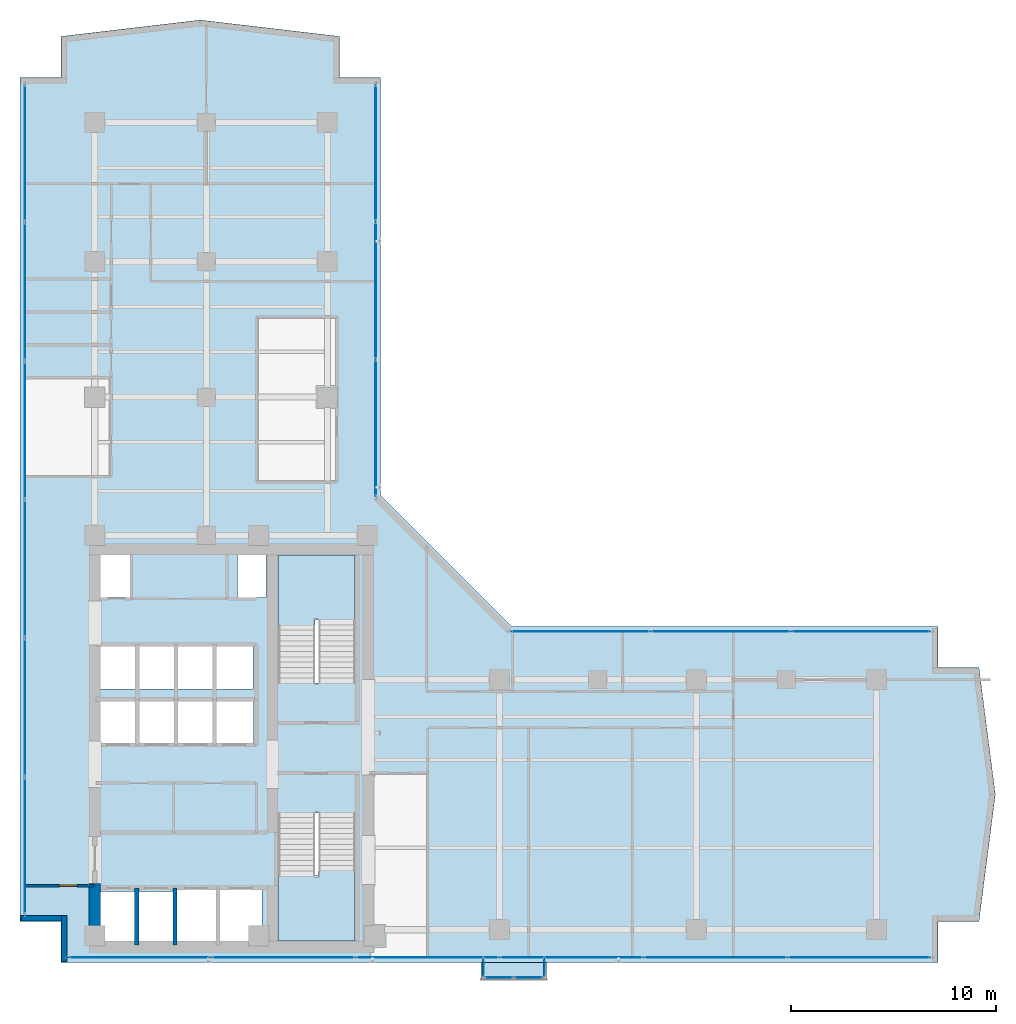
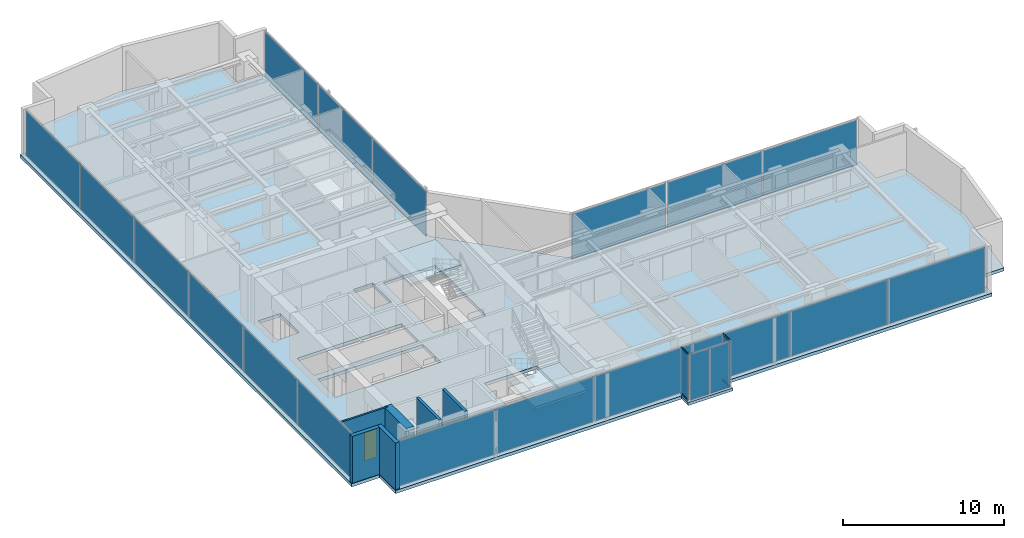
# One storey, part 16 of 23: 22 plates, 6 walls, 4 members, 4 slabs, 1 door, 1 opening, 9 elements without a shape of their own.
"""IFC4 building model written with IfcOpenShell, lengths in metres."""

from ifc_helpers import new_model, si_unit, direction, frame, frame_2d, origin, origin_with_axes, origin_2d, place, context, subcontext, project, spatial, polyline, rectangle, hollow_rectangle, outline, extrude, source, transform, mapped, material, layer, layer_set, material_profile, profile_set, type_object, element, fill, aggregate, save


model = new_model("IFC4")

# Units and contexts
model_context = context("Model", 3, precision=1e-05, world=origin(), true_north=direction((0.0, 1.0)))
body_context = subcontext(model_context, "Body", "Model", "MODEL_VIEW")
ifc_project = project(units=[si_unit("LENGTHUNIT", "METRE"), si_unit("AREAUNIT", "SQUARE_METRE"), si_unit("VOLUMEUNIT", "CUBIC_METRE"), si_unit("PLANEANGLEUNIT", "RADIAN"), si_unit("MASSUNIT", "GRAM", prefix="KILO")], contexts=[model_context])

# Site, building, storey
site_placement = place(None, origin())
site = spatial("IfcSite", under=ifc_project, at=site_placement, CompositionType="ELEMENT")
building_placement = place(site_placement, origin())
building = spatial("IfcBuilding", under=site, at=building_placement, Name="Kolvaren Waterfront Exchange", CompositionType="ELEMENT")
storey_placement = place(building_placement, frame((0.0, 0.0, 215.89990234375)))
storey = spatial("IfcBuildingStorey", under=building, at=storey_placement, Name="L55", CompositionType="ELEMENT", Elevation=215.89990234375)

# Curtain wall, members
ifc_material_1 = material(Name="Anodised bronze aluminium 6063-T6", Category="aluminium")
ifc_layer_1 = layer(ifc_material_1, 0.219970703125, Name="Anodised bronze aluminium 6063-T6")
ifc_layer_set_1 = layer_set([ifc_layer_1], Name="Anodised bronze aluminium 6063-T6")
curtain_wall_type_1 = type_object("IfcCurtainWallType", Name="ARC-CW-SYS3", PredefinedType="USERDEFINED", material=ifc_layer_set_1)
curtain_wall_1_placement = place(storey_placement, origin())
curtain_wall_1 = element("IfcCurtainWall", 1, at=curtain_wall_1_placement, inside=storey, type_object=curtain_wall_type_1, Name="L55 stick curtain wall CW3 (CW-L55-BOX-W)", ObjectType="STICK CURTAIN WALL", PredefinedType="USERDEFINED")
ifc_material_profile = material_profile(ifc_material_1, hollow_rectangle(XDim=0.06494140625, YDim=0.1298828125, WallThickness=0.00390625, at=origin_2d()), Name="ALU-TRN-130x65x4")
ifc_profile_set = profile_set([ifc_material_profile], Name="Anodised bronze aluminium 6063-T6")
member_type = type_object("IfcMemberType", Name="ARC-CWT-130", PredefinedType="USERDEFINED", material=ifc_profile_set)
shared_shape_1 = source(origin_with_axes(), body_context, "Body", "SweptSolid", [
    extrude(hollow_rectangle(XDim=0.06494140625, YDim=0.1298828125, WallThickness=0.00390625, at=origin_2d()), origin(), (0.0, 0.0, 1.0), 0.829833984375),
])
member_1_placement = place(storey_placement, frame((26.409912109375, 3.764892578125, 0.03271484375), z_axis=(0.0, -1.0, 0.0), x_axis=(1.0, 0.0, 0.0)))
member_1 = element("IfcMember", 2, at=member_1_placement, type_object=member_type, Name="CW3 transom 1.1", ObjectType="TRANSOM", PredefinedType="USERDEFINED", context=body_context, shape_type="MappedRepresentation", body=[
    mapped(shared_shape_1, transform((0.0, 0.0, 0.0), x_axis=(1.0, 0.0, 0.0), y_axis=(0.0, 1.0, 0.0), z_axis=(0.0, 0.0, 1.0), scale=1.0)),
])
member_2_placement = place(storey_placement, frame((26.409912109375, 3.764892578125, 3.527587890625), z_axis=(0.0, -1.0, 0.0), x_axis=(1.0, 0.0, 0.0)))
member_2 = element("IfcMember", 3, at=member_2_placement, type_object=member_type, Name="CW3 transom 1.2", ObjectType="TRANSOM", PredefinedType="USERDEFINED", context=body_context, shape_type="MappedRepresentation", body=[
    mapped(shared_shape_1, transform((0.0, 0.0, 0.0), x_axis=(1.0, 0.0, 0.0), y_axis=(0.0, 1.0, 0.0), z_axis=(0.0, 0.0, 1.0), scale=1.0)),
])

curtain_wall_2_placement = place(storey_placement, origin())
curtain_wall_2 = element("IfcCurtainWall", 4, at=curtain_wall_2_placement, inside=storey, type_object=curtain_wall_type_1, Name="L55 stick curtain wall CW3 (CW-L55-BOX-E)", ObjectType="STICK CURTAIN WALL", PredefinedType="USERDEFINED")
member_3_placement = place(storey_placement, frame((29.389892578125, 2.93505859375, 0.03271484375), z_axis=(0.0, 1.0, 0.0), x_axis=(-1.0, 0.0, 0.0)))
member_3 = element("IfcMember", 5, at=member_3_placement, type_object=member_type, Name="CW3 transom 1.1", ObjectType="TRANSOM", PredefinedType="USERDEFINED", context=body_context, shape_type="MappedRepresentation", body=[
    mapped(shared_shape_1, transform((0.0, 0.0, 0.0), x_axis=(1.0, 0.0, 0.0), y_axis=(0.0, 1.0, 0.0), z_axis=(0.0, 0.0, 1.0), scale=1.0)),
])
member_4_placement = place(storey_placement, frame((29.389892578125, 2.93505859375, 3.527587890625), z_axis=(0.0, 1.0, 0.0), x_axis=(-1.0, 0.0, 0.0)))
member_4 = element("IfcMember", 6, at=member_4_placement, type_object=member_type, Name="CW3 transom 1.2", ObjectType="TRANSOM", PredefinedType="USERDEFINED", context=body_context, shape_type="MappedRepresentation", body=[
    mapped(shared_shape_1, transform((0.0, 0.0, 0.0), x_axis=(1.0, 0.0, 0.0), y_axis=(0.0, 1.0, 0.0), z_axis=(0.0, 0.0, 1.0), scale=1.0)),
])

# Stair, slab
ifc_material_2 = material(Name="Concrete C40/50", Category="concrete")
stair_type = type_object("IfcStairType", Name="ARC-STAIR-3800", PredefinedType="HALF_TURN_STAIR", material=ifc_material_2)
stair_1_placement = place(storey_placement, origin())
stair_1 = element("IfcStair", 7, at=stair_1_placement, inside=storey, type_object=stair_type, Name="L55 Smoke-proof exit stair ST1", PredefinedType="HALF_TURN_STAIR")
ifc_layer_2 = layer(ifc_material_2, 0.199951171875, Name="Concrete C40/50")
ifc_layer_set_2 = layer_set([ifc_layer_2], Name="Concrete C40/50")
slab_type_1 = type_object("IfcSlabType", Name="STR-LANDING-200", PredefinedType="LANDING", material=ifc_layer_set_2)
slab_1_placement = place(storey_placement, frame((0.0, 0.0, 1.776123046875)))
slab_1 = element("IfcSlab", 8, at=slab_1_placement, type_object=slab_type_1, Name="ST1 landing 1", PredefinedType="LANDING", context=body_context, shape_type="SweptSolid", body=[
    extrude(outline(polyline([(16.39990234375, 7.840087890625), (16.39990234375, 4.64990234375), (20.159912109375, 4.64990234375), (20.159912109375, 8.10009765625), (18.360107421875, 8.10009765625), (18.360107421875, 7.840087890625), (16.39990234375, 7.840087890625)])), origin(), (0.0, 0.0, 1.0), 0.199951171875),
])
aggregate(stair_1, [slab_1])

stair_2_placement = place(storey_placement, origin())
stair_2 = element("IfcStair", 9, at=stair_2_placement, inside=storey, type_object=stair_type, Name="L55 Smoke-proof exit stair ST2", PredefinedType="HALF_TURN_STAIR")
slab_2_placement = place(storey_placement, frame((0.0, 0.0, 1.776123046875)))
slab_2 = element("IfcSlab", 10, at=slab_2_placement, type_object=slab_type_1, Name="ST2 landing 1", PredefinedType="LANDING", context=body_context, shape_type="SweptSolid", body=[
    extrude(outline(polyline([(20.159912109375, 20.31005859375), (20.159912109375, 23.5), (16.39990234375, 23.5), (16.39990234375, 20.050048828125), (18.199951171875, 20.050048828125), (18.199951171875, 20.31005859375), (20.159912109375, 20.31005859375)])), origin(), (0.0, 0.0, 1.0), 0.199951171875),
])
aggregate(stair_2, [slab_2])

# Slabs
ifc_layer_3 = layer(ifc_material_2, 0.239990234375, Name="Concrete C40/50")
ifc_layer_set_3 = layer_set([ifc_layer_3], Name="Concrete C40/50")
slab_type_2 = type_object("IfcSlabType", Name="STR-SLAB-240", PredefinedType="FLOOR", material=ifc_layer_set_3)
slab_3_placement = place(storey_placement, frame((0.0, 0.0, -0.239990234375)))
element("IfcSlab", 11, at=slab_3_placement, inside=storey, type_object=slab_type_2, Name="L55 structural floor slab", PredefinedType="FLOOR", context=body_context, shape_type="SweptSolid", body=[
    extrude(outline(polyline([(5.800048828125, 3.60009765625), (48.60009765625, 3.60009765625), (48.60009765625, 5.60009765625), (50.60009765625, 5.60009765625), (51.39990234375, 11.800048828125), (50.60009765625, 18.0), (48.60009765625, 18.0), (48.60009765625, 20.0), (27.800048828125, 20.0), (21.39990234375, 26.39990234375), (21.39990234375, 46.800048828125), (19.39990234375, 46.800048828125), (19.39990234375, 48.800048828125), (12.60009765625, 49.60009765625), (5.800048828125, 48.800048828125), (5.800048828125, 46.800048828125), (3.800048828125, 46.800048828125), (3.800048828125, 5.60009765625), (5.800048828125, 5.60009765625), (5.800048828125, 3.60009765625)]), holes=[polyline([(11.320068359375, 7.260009765625), (15.610107421875, 7.260009765625), (15.610107421875, 4.5400390625), (7.719970703125, 4.5400390625), (7.719970703125, 7.06005859375), (11.320068359375, 7.06005859375), (11.320068359375, 7.260009765625)]), polyline([(20.159912109375, 10.89990234375), (20.159912109375, 4.64990234375), (16.39990234375, 4.64990234375), (16.39990234375, 10.89990234375), (20.159912109375, 10.89990234375)]), polyline([(15.18505859375, 14.239990234375), (7.64501953125, 14.239990234375), (7.64501953125, 16.4599609375), (15.18505859375, 16.4599609375), (15.18505859375, 14.239990234375)]), polyline([(15.159912109375, 16.93994140625), (7.669921875, 16.93994140625), (7.669921875, 19.06005859375), (15.159912109375, 19.06005859375), (15.159912109375, 16.93994140625)]), polyline([(16.39990234375, 17.25), (16.39990234375, 23.5), (20.159912109375, 23.5), (20.159912109375, 17.25), (16.39990234375, 17.25)]), polyline([(7.60009765625, 23.780029296875), (9.179931640625, 23.780029296875), (9.179931640625, 21.419921875), (7.60009765625, 21.419921875), (7.60009765625, 23.780029296875)]), polyline([(14.419921875, 23.780029296875), (15.800048828125, 23.780029296875), (15.800048828125, 21.419921875), (14.419921875, 21.419921875), (14.419921875, 23.780029296875)])]), origin(), (0.0, 0.0, 1.0), 0.239990234375),
])
ifc_layer_4 = layer(ifc_material_2, 0.219970703125, Name="Concrete C40/50")
ifc_layer_set_4 = layer_set([ifc_layer_4], Name="Concrete C40/50")
slab_type_3 = type_object("IfcSlabType", Name="STR-TERR-220", PredefinedType="FLOOR", material=ifc_layer_set_4)
slab_4_placement = place(storey_placement, frame((0.0, 0.0, -0.219970703125)))
element("IfcSlab", 12, at=slab_4_placement, inside=storey, type_object=slab_type_3, Name="L55 projecting bay-box floor strip", PredefinedType="FLOOR", context=body_context, shape_type="SweptSolid", body=[
    extrude(outline(polyline([(26.300048828125, 2.75), (29.5, 2.75), (29.5, 3.60009765625), (26.300048828125, 3.60009765625), (26.300048828125, 2.75)])), origin(), (0.0, 0.0, 1.0), 0.219970703125),
])

# Plate
ifc_material_3 = material(Name="Bronze tinted bay-box vision glass", Category="aluminium")
ifc_layer_5 = layer(ifc_material_3, 0.02392578125, Name="Bronze tinted bay-box vision glass")
ifc_layer_set_5 = layer_set([ifc_layer_5], Name="Bronze tinted bay-box vision glass")
plate_type_1 = type_object("IfcPlateType", Name="ARC-CWP-24", PredefinedType="CURTAIN_PANEL", material=ifc_layer_set_5)
shared_shape_2 = source(origin_with_axes(), body_context, "Body", "SweptSolid", [
    extrude(rectangle(XDim=0.830078125, YDim=0.02392578125, at=origin_2d()), origin(), (0.0, 0.0, 1.0), 3.429931640625),
])
plate_1_placement = place(storey_placement, frame((26.409912109375, 3.35009765625, 0.06494140625), z_axis=(0.0, 0.0, 1.0), x_axis=(0.0, -1.0, 0.0)))
plate_1 = element("IfcPlate", 13, at=plate_1_placement, type_object=plate_type_1, Name="CW3 panel 1.1", PredefinedType="CURTAIN_PANEL", context=body_context, shape_type="MappedRepresentation", body=[
    mapped(shared_shape_2, transform((0.0, 0.0, 0.0), x_axis=(1.0, 0.0, 0.0), y_axis=(0.0, 1.0, 0.0), z_axis=(0.0, 0.0, 1.0), scale=1.0)),
])

aggregate(curtain_wall_1, [member_1, member_2, plate_1])

plate_2_placement = place(storey_placement, frame((29.389892578125, 3.35009765625, 0.06494140625), z_axis=(0.0, 0.0, 1.0), x_axis=(0.0, 1.0, 0.0)))
plate_2 = element("IfcPlate", 14, at=plate_2_placement, type_object=plate_type_1, Name="CW3 panel 1.1", PredefinedType="CURTAIN_PANEL", context=body_context, shape_type="MappedRepresentation", body=[
    mapped(shared_shape_2, transform((0.0, 0.0, 0.0), x_axis=(1.0, 0.0, 0.0), y_axis=(0.0, 1.0, 0.0), z_axis=(0.0, 0.0, 1.0), scale=1.0)),
])

aggregate(curtain_wall_2, [member_3, member_4, plate_2])

# Curtain wall, plates
curtain_wall_3_placement = place(storey_placement, origin())
curtain_wall_3 = element("IfcCurtainWall", 15, at=curtain_wall_3_placement, inside=storey, type_object=curtain_wall_type_1, Name="L55 stick curtain wall CW3 (CW-L55-BOX)", ObjectType="STICK CURTAIN WALL", PredefinedType="USERDEFINED")
shared_shape_3 = source(origin_with_axes(), body_context, "Body", "SweptSolid", [
    extrude(rectangle(XDim=1.37744140625, YDim=0.02392578125, at=origin_2d()), origin(), (0.0, 0.0, 1.0), 3.429931640625),
])
plate_3_placement = place(storey_placement, frame((27.173828125, 2.860107421875, 0.06494140625), z_axis=(0.0, 0.0, 1.0), x_axis=(1.0, 0.0, 0.0)))
plate_3 = element("IfcPlate", 16, at=plate_3_placement, type_object=plate_type_1, Name="CW3 panel 1.1", PredefinedType="CURTAIN_PANEL", context=body_context, shape_type="MappedRepresentation", body=[
    mapped(shared_shape_3, transform((0.0, 0.0, 0.0), x_axis=(1.0, 0.0, 0.0), y_axis=(0.0, 1.0, 0.0), z_axis=(0.0, 0.0, 1.0), scale=1.0)),
])
plate_4_placement = place(storey_placement, frame((28.626220703125, 2.860107421875, 0.06494140625), z_axis=(0.0, 0.0, 1.0), x_axis=(1.0, 0.0, 0.0)))
plate_4 = element("IfcPlate", 17, at=plate_4_placement, type_object=plate_type_1, Name="CW3 panel 2.1", PredefinedType="CURTAIN_PANEL", context=body_context, shape_type="MappedRepresentation", body=[
    mapped(shared_shape_3, transform((0.0, 0.0, 0.0), x_axis=(1.0, 0.0, 0.0), y_axis=(0.0, 1.0, 0.0), z_axis=(0.0, 0.0, 1.0), scale=1.0)),
])
aggregate(curtain_wall_3, [plate_3, plate_4])

ifc_material_4 = material(Name="Anodised aluminium 6063-T6", Category="aluminium")
ifc_layer_6 = layer(ifc_material_4, 0.219970703125, Name="Anodised aluminium 6063-T6")
ifc_layer_set_6 = layer_set([ifc_layer_6], Name="Anodised aluminium 6063-T6")
curtain_wall_type_2 = type_object("IfcCurtainWallType", Name="ARC-CW-SYS2", PredefinedType="USERDEFINED", material=ifc_layer_set_6)
curtain_wall_4_placement = place(storey_placement, origin())
curtain_wall_4 = element("IfcCurtainWall", 18, at=curtain_wall_4_placement, inside=storey, type_object=curtain_wall_type_2, Name="L55 stick curtain wall CW2 (CW-L55-W)", ObjectType="STICK CURTAIN WALL", PredefinedType="USERDEFINED")
ifc_material_5 = material(Name="Acoustic laminated vision glass", Category="glass")
ifc_layer_7 = layer(ifc_material_5, 0.031982421875, Name="Acoustic laminated vision glass")
ifc_layer_set_7 = layer_set([ifc_layer_7], Name="Acoustic laminated vision glass")
plate_type_2 = type_object("IfcPlateType", Name="ARC-CWP-32", PredefinedType="CURTAIN_PANEL", material=ifc_layer_set_7)
shared_shape_4 = source(origin_with_axes(), body_context, "Body", "SweptSolid", [
    extrude(rectangle(XDim=6.646728515625, YDim=0.031982421875, at=origin_2d()), origin(), (0.0, 0.0, 1.0), 3.409912109375),
])
plate_5_placement = place(storey_placement, frame((4.0400390625, 9.30322265625, 0.0751953125), z_axis=(0.0, 0.0, 1.0), x_axis=(0.0, 1.0, 0.0)))
plate_5 = element("IfcPlate", 19, at=plate_5_placement, type_object=plate_type_2, Name="CW2 panel 1.1", PredefinedType="CURTAIN_PANEL", context=body_context, shape_type="MappedRepresentation", body=[
    mapped(shared_shape_4, transform((0.0, 0.0, 0.0), x_axis=(1.0, 0.0, 0.0), y_axis=(0.0, 1.0, 0.0), z_axis=(0.0, 0.0, 1.0), scale=1.0)),
])
plate_6_placement = place(storey_placement, frame((4.0400390625, 43.0966796875, 0.0751953125), z_axis=(0.0, 0.0, 1.0), x_axis=(0.0, 1.0, 0.0)))
plate_6 = element("IfcPlate", 20, at=plate_6_placement, type_object=plate_type_2, Name="CW2 panel 6.1", PredefinedType="CURTAIN_PANEL", context=body_context, shape_type="MappedRepresentation", body=[
    mapped(shared_shape_4, transform((0.0, 0.0, 0.0), x_axis=(1.0, 0.0, 0.0), y_axis=(0.0, 1.0, 0.0), z_axis=(0.0, 0.0, 1.0), scale=1.0)),
])
shared_shape_5 = source(origin_with_axes(), body_context, "Body", "SweptSolid", [
    extrude(rectangle(XDim=6.686767578125, YDim=0.031982421875, at=origin_2d()), origin(), (0.0, 0.0, 1.0), 3.409912109375),
])
plate_7_placement = place(storey_placement, frame((4.0400390625, 16.050048828125, 0.0751953125), z_axis=(0.0, 0.0, 1.0), x_axis=(0.0, 1.0, 0.0)))
plate_7 = element("IfcPlate", 21, at=plate_7_placement, type_object=plate_type_2, Name="CW2 panel 2.1", PredefinedType="CURTAIN_PANEL", context=body_context, shape_type="MappedRepresentation", body=[
    mapped(shared_shape_5, transform((0.0, 0.0, 0.0), x_axis=(1.0, 0.0, 0.0), y_axis=(0.0, 1.0, 0.0), z_axis=(0.0, 0.0, 1.0), scale=1.0)),
])
plate_8_placement = place(storey_placement, frame((4.0400390625, 22.816650390625, 0.0751953125), z_axis=(0.0, 0.0, 1.0), x_axis=(0.0, 1.0, 0.0)))
plate_8 = element("IfcPlate", 22, at=plate_8_placement, type_object=plate_type_2, Name="CW2 panel 3.1", PredefinedType="CURTAIN_PANEL", context=body_context, shape_type="MappedRepresentation", body=[
    mapped(shared_shape_5, transform((0.0, 0.0, 0.0), x_axis=(1.0, 0.0, 0.0), y_axis=(0.0, 1.0, 0.0), z_axis=(0.0, 0.0, 1.0), scale=1.0)),
])
plate_9_placement = place(storey_placement, frame((4.0400390625, 29.583251953125, 0.0751953125), z_axis=(0.0, 0.0, 1.0), x_axis=(0.0, 1.0, 0.0)))
plate_9 = element("IfcPlate", 23, at=plate_9_placement, type_object=plate_type_2, Name="CW2 panel 4.1", PredefinedType="CURTAIN_PANEL", context=body_context, shape_type="MappedRepresentation", body=[
    mapped(shared_shape_5, transform((0.0, 0.0, 0.0), x_axis=(1.0, 0.0, 0.0), y_axis=(0.0, 1.0, 0.0), z_axis=(0.0, 0.0, 1.0), scale=1.0)),
])
plate_10_placement = place(storey_placement, frame((4.0400390625, 36.35009765625, 0.0751953125), z_axis=(0.0, 0.0, 1.0), x_axis=(0.0, 1.0, 0.0)))
plate_10 = element("IfcPlate", 24, at=plate_10_placement, type_object=plate_type_2, Name="CW2 panel 5.1", PredefinedType="CURTAIN_PANEL", context=body_context, shape_type="MappedRepresentation", body=[
    mapped(shared_shape_5, transform((0.0, 0.0, 0.0), x_axis=(1.0, 0.0, 0.0), y_axis=(0.0, 1.0, 0.0), z_axis=(0.0, 0.0, 1.0), scale=1.0)),
])
aggregate(curtain_wall_4, [plate_5, plate_7, plate_8, plate_9, plate_10, plate_6])

ifc_layer_8 = layer(ifc_material_1, 0.219970703125, Name="Anodised bronze aluminium 6063-T6")
ifc_layer_set_8 = layer_set([ifc_layer_8], Name="Anodised bronze aluminium 6063-T6")
curtain_wall_type_3 = type_object("IfcCurtainWallType", Name="ARC-CW-SYS1", PredefinedType="USERDEFINED", material=ifc_layer_set_8)
curtain_wall_5_placement = place(storey_placement, origin())
curtain_wall_5 = element("IfcCurtainWall", 25, at=curtain_wall_5_placement, inside=storey, type_object=curtain_wall_type_3, Name="L55 stick curtain wall CW1 (CW-L55-S)", ObjectType="STICK CURTAIN WALL", PredefinedType="USERDEFINED")
ifc_material_6 = material(Name="Bronze solar control vision glass", Category="aluminium")
ifc_layer_9 = layer(ifc_material_6, 0.028076171875, Name="Bronze solar control vision glass")
ifc_layer_set_9 = layer_set([ifc_layer_9], Name="Bronze solar control vision glass")
plate_type_3 = type_object("IfcPlateType", Name="ARC-CWP-28", PredefinedType="CURTAIN_PANEL", material=ifc_layer_set_9)
shared_shape_6 = source(origin_with_axes(), body_context, "Body", "SweptSolid", [
    extrude(rectangle(XDim=6.913330078125, YDim=0.028076171875, at=origin_2d()), origin(), (0.0, 0.0, 1.0), 3.409912109375),
])
plate_11_placement = place(storey_placement, frame((9.63671875, 3.840087890625, 0.0751953125), z_axis=(0.0, 0.0, 1.0), x_axis=(1.0, 0.0, 0.0)))
plate_11 = element("IfcPlate", 26, at=plate_11_placement, type_object=plate_type_3, Name="CW1 panel 1.1", PredefinedType="CURTAIN_PANEL", context=body_context, shape_type="MappedRepresentation", body=[
    mapped(shared_shape_6, transform((0.0, 0.0, 0.0), x_axis=(1.0, 0.0, 0.0), y_axis=(0.0, 1.0, 0.0), z_axis=(0.0, 0.0, 1.0), scale=1.0)),
])
plate_12_placement = place(storey_placement, frame((44.763427734375, 3.840087890625, 0.0751953125), z_axis=(0.0, 0.0, 1.0), x_axis=(1.0, 0.0, 0.0)))
plate_12 = element("IfcPlate", 27, at=plate_12_placement, type_object=plate_type_3, Name="CW1 panel 6.1", PredefinedType="CURTAIN_PANEL", context=body_context, shape_type="MappedRepresentation", body=[
    mapped(shared_shape_6, transform((0.0, 0.0, 0.0), x_axis=(1.0, 0.0, 0.0), y_axis=(0.0, 1.0, 0.0), z_axis=(0.0, 0.0, 1.0), scale=1.0)),
])
shared_shape_7 = source(origin_with_axes(), body_context, "Body", "SweptSolid", [
    extrude(rectangle(XDim=6.953369140625, YDim=0.028076171875, at=origin_2d()), origin(), (0.0, 0.0, 1.0), 3.409912109375),
])
plate_13_placement = place(storey_placement, frame((16.64990234375, 3.840087890625, 0.0751953125), z_axis=(0.0, 0.0, 1.0), x_axis=(1.0, 0.0, 0.0)))
plate_13 = element("IfcPlate", 28, at=plate_13_placement, type_object=plate_type_3, Name="CW1 panel 2.1", PredefinedType="CURTAIN_PANEL", context=body_context, shape_type="MappedRepresentation", body=[
    mapped(shared_shape_7, transform((0.0, 0.0, 0.0), x_axis=(1.0, 0.0, 0.0), y_axis=(0.0, 1.0, 0.0), z_axis=(0.0, 0.0, 1.0), scale=1.0)),
])
plate_14_placement = place(storey_placement, frame((23.683349609375, 3.840087890625, 0.0751953125), z_axis=(0.0, 0.0, 1.0), x_axis=(1.0, 0.0, 0.0)))
plate_14 = element("IfcPlate", 29, at=plate_14_placement, type_object=plate_type_3, Name="CW1 panel 3.1", PredefinedType="CURTAIN_PANEL", context=body_context, shape_type="MappedRepresentation", body=[
    mapped(shared_shape_7, transform((0.0, 0.0, 0.0), x_axis=(1.0, 0.0, 0.0), y_axis=(0.0, 1.0, 0.0), z_axis=(0.0, 0.0, 1.0), scale=1.0)),
])
plate_15_placement = place(storey_placement, frame((30.716552734375, 3.840087890625, 0.0751953125), z_axis=(0.0, 0.0, 1.0), x_axis=(1.0, 0.0, 0.0)))
plate_15 = element("IfcPlate", 30, at=plate_15_placement, type_object=plate_type_3, Name="CW1 panel 4.1", PredefinedType="CURTAIN_PANEL", context=body_context, shape_type="MappedRepresentation", body=[
    mapped(shared_shape_7, transform((0.0, 0.0, 0.0), x_axis=(1.0, 0.0, 0.0), y_axis=(0.0, 1.0, 0.0), z_axis=(0.0, 0.0, 1.0), scale=1.0)),
])
plate_16_placement = place(storey_placement, frame((37.75, 3.840087890625, 0.0751953125), z_axis=(0.0, 0.0, 1.0), x_axis=(1.0, 0.0, 0.0)))
plate_16 = element("IfcPlate", 31, at=plate_16_placement, type_object=plate_type_3, Name="CW1 panel 5.1", PredefinedType="CURTAIN_PANEL", context=body_context, shape_type="MappedRepresentation", body=[
    mapped(shared_shape_7, transform((0.0, 0.0, 0.0), x_axis=(1.0, 0.0, 0.0), y_axis=(0.0, 1.0, 0.0), z_axis=(0.0, 0.0, 1.0), scale=1.0)),
])
aggregate(curtain_wall_5, [plate_11, plate_13, plate_14, plate_15, plate_16, plate_12])

curtain_wall_6_placement = place(storey_placement, origin())
curtain_wall_6 = element("IfcCurtainWall", 32, at=curtain_wall_6_placement, inside=storey, type_object=curtain_wall_type_3, Name="L55 stick curtain wall CW1 (CW-L55-NE)", ObjectType="STICK CURTAIN WALL", PredefinedType="USERDEFINED")
shared_shape_8 = source(origin_with_axes(), body_context, "Body", "SweptSolid", [
    extrude(rectangle(XDim=6.61669921875, YDim=0.028076171875, at=origin_2d()), origin(), (0.0, 0.0, 1.0), 3.409912109375),
])
plate_17_placement = place(storey_placement, frame((21.159912109375, 29.67822265625, 0.0751953125), z_axis=(0.0, 0.0, 1.0), x_axis=(0.0, 1.0, 0.0)))
plate_17 = element("IfcPlate", 33, at=plate_17_placement, type_object=plate_type_3, Name="CW1 panel 1.1", PredefinedType="CURTAIN_PANEL", context=body_context, shape_type="MappedRepresentation", body=[
    mapped(shared_shape_8, transform((0.0, 0.0, 0.0), x_axis=(1.0, 0.0, 0.0), y_axis=(0.0, 1.0, 0.0), z_axis=(0.0, 0.0, 1.0), scale=1.0)),
])
plate_18_placement = place(storey_placement, frame((21.159912109375, 43.111572265625, 0.0751953125), z_axis=(0.0, 0.0, 1.0), x_axis=(0.0, 1.0, 0.0)))
plate_18 = element("IfcPlate", 34, at=plate_18_placement, type_object=plate_type_3, Name="CW1 panel 3.1", PredefinedType="CURTAIN_PANEL", context=body_context, shape_type="MappedRepresentation", body=[
    mapped(shared_shape_8, transform((0.0, 0.0, 0.0), x_axis=(1.0, 0.0, 0.0), y_axis=(0.0, 1.0, 0.0), z_axis=(0.0, 0.0, 1.0), scale=1.0)),
])
shared_shape_9 = source(origin_with_axes(), body_context, "Body", "SweptSolid", [
    extrude(rectangle(XDim=6.65673828125, YDim=0.028076171875, at=origin_2d()), origin(), (0.0, 0.0, 1.0), 3.409912109375),
])
plate_19_placement = place(storey_placement, frame((21.159912109375, 36.39501953125, 0.0751953125), z_axis=(0.0, 0.0, 1.0), x_axis=(0.0, 1.0, 0.0)))
plate_19 = element("IfcPlate", 35, at=plate_19_placement, type_object=plate_type_3, Name="CW1 panel 2.1", PredefinedType="CURTAIN_PANEL", context=body_context, shape_type="MappedRepresentation", body=[
    mapped(shared_shape_9, transform((0.0, 0.0, 0.0), x_axis=(1.0, 0.0, 0.0), y_axis=(0.0, 1.0, 0.0), z_axis=(0.0, 0.0, 1.0), scale=1.0)),
])
aggregate(curtain_wall_6, [plate_17, plate_19, plate_18])

curtain_wall_7_placement = place(storey_placement, origin())
curtain_wall_7 = element("IfcCurtainWall", 36, at=curtain_wall_7_placement, inside=storey, type_object=curtain_wall_type_3, Name="L55 stick curtain wall CW1 (CW-L55-EN)", ObjectType="STICK CURTAIN WALL", PredefinedType="USERDEFINED")
shared_shape_10 = source(origin_with_axes(), body_context, "Body", "SweptSolid", [
    extrude(rectangle(XDim=6.75, YDim=0.028076171875, at=origin_2d()), origin(), (0.0, 0.0, 1.0), 3.409912109375),
])
plate_20_placement = place(storey_placement, frame((31.14501953125, 19.760009765625, 0.0751953125), z_axis=(0.0, 0.0, 1.0), x_axis=(1.0, 0.0, 0.0)))
plate_20 = element("IfcPlate", 37, at=plate_20_placement, type_object=plate_type_3, Name="CW1 panel 1.1", PredefinedType="CURTAIN_PANEL", context=body_context, shape_type="MappedRepresentation", body=[
    mapped(shared_shape_10, transform((0.0, 0.0, 0.0), x_axis=(1.0, 0.0, 0.0), y_axis=(0.0, 1.0, 0.0), z_axis=(0.0, 0.0, 1.0), scale=1.0)),
])
plate_21_placement = place(storey_placement, frame((44.844970703125, 19.760009765625, 0.0751953125), z_axis=(0.0, 0.0, 1.0), x_axis=(1.0, 0.0, 0.0)))
plate_21 = element("IfcPlate", 38, at=plate_21_placement, type_object=plate_type_3, Name="CW1 panel 3.1", PredefinedType="CURTAIN_PANEL", context=body_context, shape_type="MappedRepresentation", body=[
    mapped(shared_shape_10, transform((0.0, 0.0, 0.0), x_axis=(1.0, 0.0, 0.0), y_axis=(0.0, 1.0, 0.0), z_axis=(0.0, 0.0, 1.0), scale=1.0)),
])
shared_shape_11 = source(origin_with_axes(), body_context, "Body", "SweptSolid", [
    extrude(rectangle(XDim=6.7900390625, YDim=0.028076171875, at=origin_2d()), origin(), (0.0, 0.0, 1.0), 3.409912109375),
])
plate_22_placement = place(storey_placement, frame((37.9951171875, 19.760009765625, 0.0751953125), z_axis=(0.0, 0.0, 1.0), x_axis=(1.0, 0.0, 0.0)))
plate_22 = element("IfcPlate", 39, at=plate_22_placement, type_object=plate_type_3, Name="CW1 panel 2.1", PredefinedType="CURTAIN_PANEL", context=body_context, shape_type="MappedRepresentation", body=[
    mapped(shared_shape_11, transform((0.0, 0.0, 0.0), x_axis=(1.0, 0.0, 0.0), y_axis=(0.0, 1.0, 0.0), z_axis=(0.0, 0.0, 1.0), scale=1.0)),
])
aggregate(curtain_wall_7, [plate_20, plate_22, plate_21])

# Walls
ifc_material_7 = material(Name="Precast concrete C40/50", Category="concrete")
ifc_layer_10 = layer(ifc_material_7, 0.280029296875, Name="Precast concrete C40/50")
ifc_layer_set_10 = layer_set([ifc_layer_10], Name="Precast concrete C40/50")
wall_type_1 = type_object("IfcWallType", Name="ARC-EXT-TERR-280", PredefinedType="SOLIDWALL", material=ifc_layer_set_10)
wall_1_placement = place(storey_placement, frame((5.9599609375, 3.659912109375, 0.0), z_axis=(0.0, 0.0, 1.0), x_axis=(0.0, 1.0, 0.0)))
element("IfcWall", 40, at=wall_1_placement, inside=storey, type_object=wall_type_1, Name="L55 notched corner spandrel pier SW-A", PredefinedType="SOLIDWALL", context=body_context, shape_type="SweptSolid", body=[
    extrude(rectangle(XDim=2.239990234375, YDim=0.280029296875, at=frame_2d((1.1201171875, 0.0))), origin(), (0.0, 0.0, 1.0), 3.56005859375),
])
wall_2_placement = place(storey_placement, frame((3.860107421875, 5.760009765625, 0.0), z_axis=(0.0, 0.0, 1.0), x_axis=(1.0, 0.0, 0.0)))
element("IfcWall", 41, at=wall_2_placement, inside=storey, type_object=wall_type_1, Name="L55 notched corner spandrel pier SW-B", PredefinedType="SOLIDWALL", context=body_context, shape_type="SweptSolid", body=[
    extrude(rectangle(XDim=1.9599609375, YDim=0.280029296875, at=frame_2d((0.97998046875, 0.0))), origin(), (0.0, 0.0, 1.0), 3.56005859375),
])

# Wall, opening, door
ifc_material_8 = material(Name="Acoustic gypsum steel stud", Category="steel")
ifc_layer_11 = layer(ifc_material_8, 0.125, Name="Acoustic gypsum steel stud")
ifc_layer_set_11 = layer_set([ifc_layer_11], Name="Acoustic gypsum steel stud")
wall_type_2 = type_object("IfcWallType", Name="ARC-PART-125", PredefinedType="PARTITIONING", material=ifc_layer_set_11)
wall_3_placement = place(storey_placement, frame((4.0400390625, 7.35009765625, 0.0), z_axis=(0.0, 0.0, 1.0), x_axis=(1.0, 0.0, 0.0)))
wall_3 = element("IfcWall", 42, at=wall_3_placement, inside=storey, type_object=wall_type_2, Name="L55 interior wall PW-L55-SWC-N", PredefinedType="PARTITIONING", context=body_context, shape_type="SweptSolid", body=[
    extrude(rectangle(XDim=3.35986328125, YDim=0.125, at=frame_2d((1.679931640625, 0.0))), origin(), (0.0, 0.0, 1.0), 3.56005859375),
])
opening_placement = place(wall_3_placement, frame((1.686767578125, 0.0, 0.0)))
opening = element("IfcOpeningElement", 43, at=opening_placement, cuts=wall_3, Name="Opening D01", PredefinedType="OPENING", context=body_context, shape_type="SweptSolid", body=[
    extrude(rectangle(XDim=0.85009765625, YDim=2.14990234375, at=frame_2d((0.425048828125, 1.074951171875))), frame((0.0, 0.072509765625, 0.0), z_axis=(0.0, -1.0, 0.0), x_axis=(1.0, 0.0, 0.0)), (0.0, 0.0, 1.0), 0.14501953125),
])
ifc_material_9 = material(Name="Oak veneer timber leaf", Category="wood")
door_type = type_object("IfcDoorType", Name="ARC-DR-900", OperationType="NOTDEFINED", PredefinedType="DOOR", material=ifc_material_9)
door_placement = place(opening_placement, origin())
door = element("IfcDoor", 44, at=door_placement, inside=storey, type_object=door_type, Name="L55 door DR-L55-SWC-D (D01)", OperationType="SINGLE_SWING_LEFT", OverallHeight=2.14990234375, OverallWidth=0.85009765625, PredefinedType="DOOR", context=body_context, shape_type="SweptSolid", body=[
    extrude(rectangle(XDim=0.85009765625, YDim=2.14990234375, at=frame_2d((0.425048828125, 1.074951171875))), frame((0.0, 0.02490234375, 0.0), z_axis=(0.0, -1.0, 0.0), x_axis=(1.0, 0.0, 0.0)), (0.0, 0.0, 1.0), 0.050048828125),
])
fill(opening, door)

# Walls
ifc_layer_12 = layer(ifc_material_2, 0.199951171875, Name="Concrete C40/50")
ifc_layer_set_12 = layer_set([ifc_layer_12], Name="Concrete C40/50")
wall_type_3 = type_object("IfcWallType", Name="ARC-SHAFT-200", PredefinedType="PARTITIONING", material=ifc_layer_set_12)
for number, where, z_axis, x_axis, name in (
    (45, (9.5, 4.449951171875, 0.0), (0.0, 0.0, 1.0), (0.0, 1.0, 0.0), "L55 interior wall PW-L55-SH1-DIV-95"),
    (46, (11.360107421875, 4.449951171875, 0.0), (0.0, 0.0, 1.0), (0.0, 1.0, 0.0), "L55 interior wall PW-L55-SH1-DIV-113"),
):
    element("IfcWall", number, at=place(storey_placement, frame(where, z_axis=z_axis, x_axis=x_axis)), inside=storey, type_object=wall_type_3, Name=name, PredefinedType="PARTITIONING", context=body_context, shape_type="SweptSolid", body=[
        extrude(rectangle(XDim=2.800048828125, YDim=0.199951171875, at=frame_2d((1.39990234375, 0.0))), origin(), (0.0, 0.0, 1.0), 3.56005859375),
    ])
ifc_material_10 = material(Name="Concrete C50/60", Category="concrete")
ifc_layer_13 = layer(ifc_material_10, 0.550048828125, Name="Concrete C50/60")
ifc_layer_set_13 = layer_set([ifc_layer_13], Name="Concrete C50/60")
wall_type_4 = type_object("IfcWallType", Name="STR-CWALL-550", PredefinedType="SHEAR", material=ifc_layer_set_13)
wall_4_placement = place(storey_placement, frame((7.449951171875, 4.64990234375, 0.0), z_axis=(0.0, 0.0, 1.0), x_axis=(0.0, 1.0, 0.0)))
element("IfcWall", 47, at=wall_4_placement, inside=storey, type_object=wall_type_4, Name="L55 rear-core shear wall W1", PredefinedType="SHEAR", context=body_context, shape_type="SweptSolid", body=[
    extrude(rectangle(XDim=2.800048828125, YDim=0.550048828125, at=frame_2d((1.39990234375, 0.0))), origin(), (0.0, 0.0, 1.0), 3.56005859375),
])

save(model, "model.ifc")
